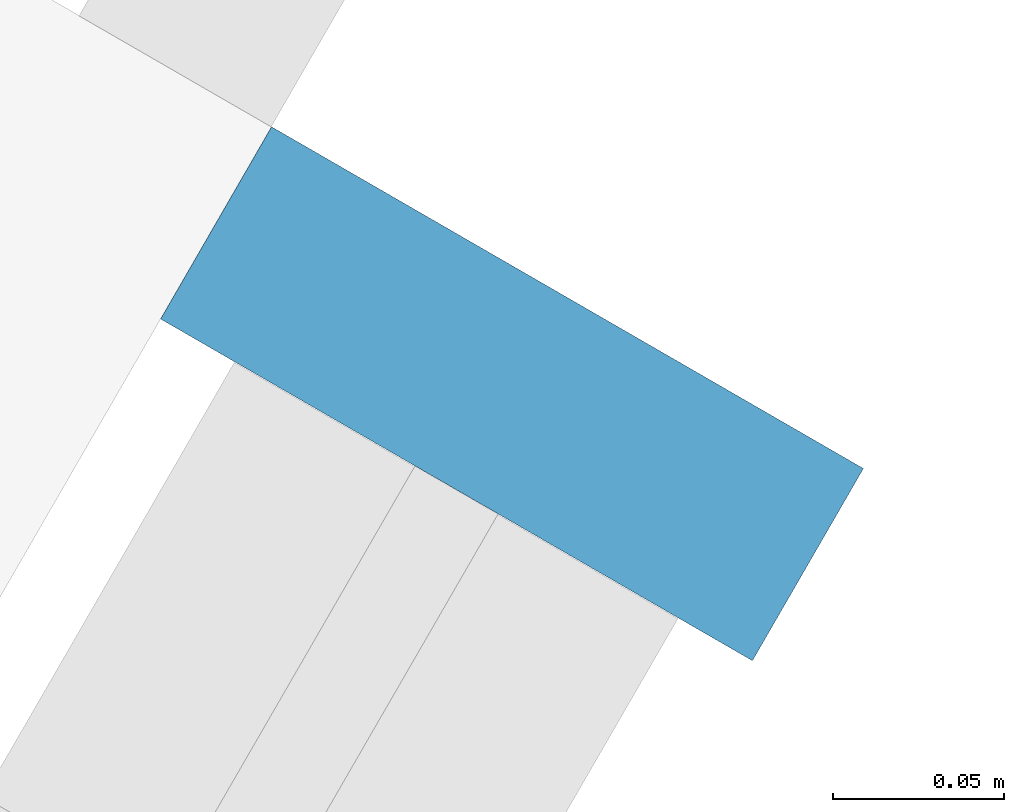
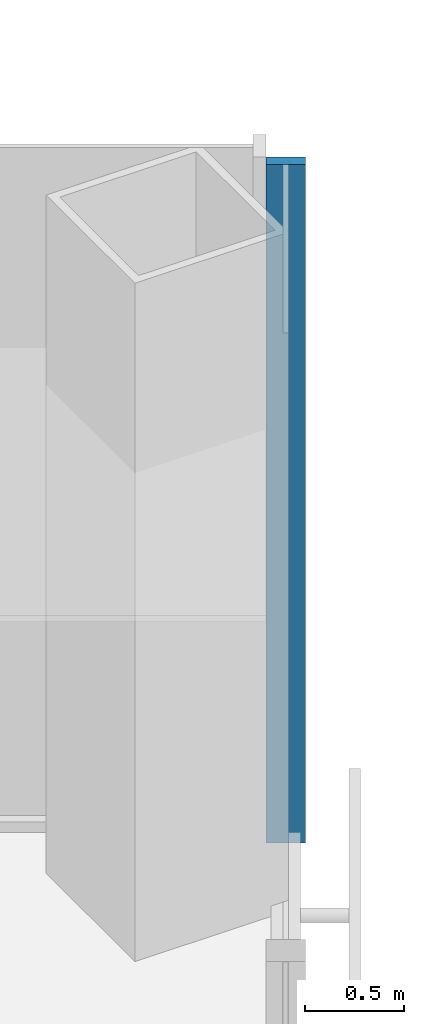
# One storey, part 8 of 15: 1 member, 1 element without a shape of its own.
"""IFC4 building model written with IfcOpenShell, lengths in metres."""

from ifc_helpers import new_model, si_unit, direction, frame, origin, origin_2d, place, context, subcontext, project, spatial, rectangle, extrude, material, material_profile, profile_set, type_object, element, aggregate, save


model = new_model("IFC4")

# Units and contexts
model_context = context("Model", 3, precision=1e-05, world=origin(), true_north=direction((0.0, 1.0)))
body_context = subcontext(model_context, "Body", "Model", "MODEL_VIEW")
ifc_project = project(units=[si_unit("LENGTHUNIT", "METRE"), si_unit("AREAUNIT", "SQUARE_METRE"), si_unit("VOLUMEUNIT", "CUBIC_METRE"), si_unit("PLANEANGLEUNIT", "RADIAN"), si_unit("MASSUNIT", "GRAM", prefix="KILO")], contexts=[model_context])

# Site, building, storey
site_placement = place(None, origin())
site = spatial("IfcSite", under=ifc_project, at=site_placement, CompositionType="ELEMENT")
building_placement = place(site_placement, origin())
building = spatial("IfcBuilding", under=site, at=building_placement, Name="Kasaneha Research Tower", CompositionType="ELEMENT")
storey_placement = place(building_placement, frame((0.0, 0.0, 31.0)))
storey = spatial("IfcBuildingStorey", under=building, at=storey_placement, Name="L08", CompositionType="ELEMENT", Elevation=31.0)

# Curtain wall, member
ifc_material_1 = material(Name="Glass and aluminium", Category="aluminium")
curtain_wall_type = type_object("IfcCurtainWallType", Name="Dry laboratory curtain wall", PredefinedType="USERDEFINED", material=ifc_material_1)
curtain_wall_placement = place(storey_placement, origin())
curtain_wall = element("IfcCurtainWall", 1, at=curtain_wall_placement, inside=storey, type_object=curtain_wall_type, Name="CW-L2 L08 run 05a", ObjectType="UNITISED CURTAIN WALL", PredefinedType="USERDEFINED")
ifc_material_2 = material(Name="Aluminium 6063-T6", Category="aluminium")
ifc_material_profile = material_profile(ifc_material_2, rectangle(XDim=0.06494140625, YDim=0.199951171875, at=origin_2d()), Name="CW-L2 mullion 65x200")
ifc_profile_set = profile_set([ifc_material_profile], Name="Aluminium 6063-T6")
member_type = type_object("IfcMemberType", Name="CW-L2 mullion", PredefinedType="MULLION", material=ifc_profile_set)
member_placement = place(storey_placement, frame((32.01171875, -6.39501953125, 0.0), z_axis=(0.0, 0.0, 1.0), x_axis=(0.500000011442, 0.866025397178, 0.0)))
member = element("IfcMember", 2, at=member_placement, type_object=member_type, Name="CW-L2 mullion 4", PredefinedType="MULLION", context=body_context, shape_type="SweptSolid", body=[
    extrude(rectangle(XDim=0.06494140625, YDim=0.199951171875, at=origin_2d()), origin(), (0.0, 0.0, 1.0), 4.199951171875),
])
aggregate(curtain_wall, [member])

save(model, "model.ifc")
